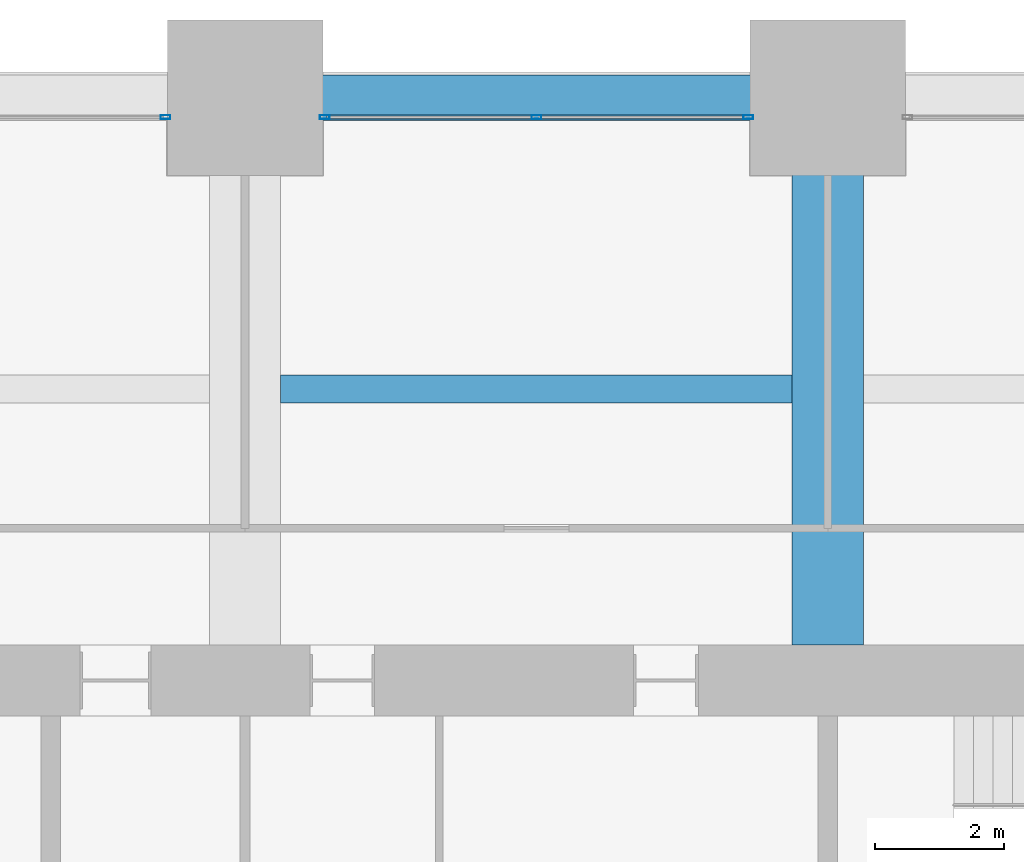
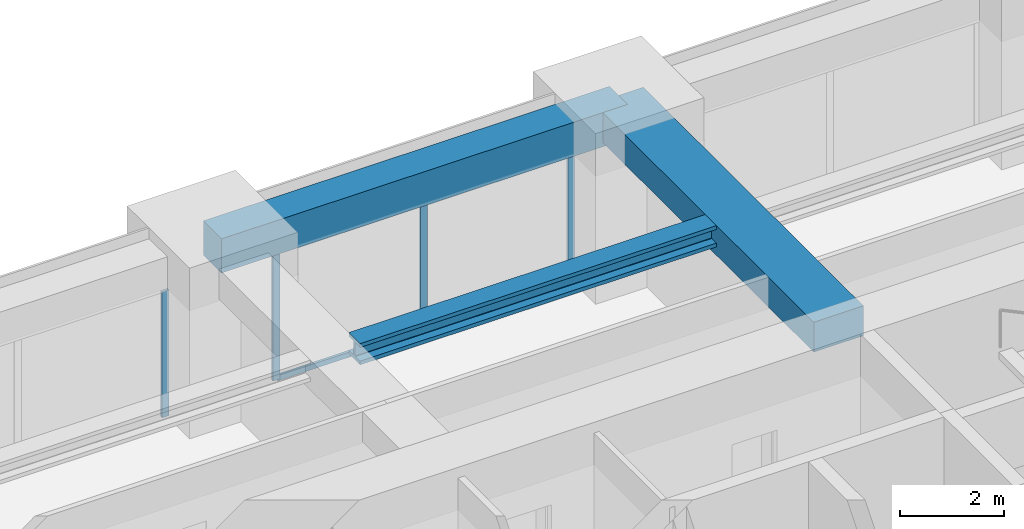
# One storey, part 29 of 39: 5 members, 3 beams, 2 elements without a shape of their own.
"""IFC4 building model written with IfcOpenShell, lengths in metres."""

from ifc_helpers import new_model, si_unit, direction, frame, origin, origin_2d, place, context, subcontext, project, spatial, rectangle, hollow_rectangle, i_section, extrude, material, material_profile, profile_set, type_object, element, aggregate, save


model = new_model("IFC4")

# Units and contexts
model_context = context("Model", 3, precision=1e-05, world=origin(), true_north=direction((0.0, 1.0)))
body_context = subcontext(model_context, "Body", "Model", "MODEL_VIEW")
ifc_project = project(units=[si_unit("LENGTHUNIT", "METRE"), si_unit("AREAUNIT", "SQUARE_METRE"), si_unit("VOLUMEUNIT", "CUBIC_METRE"), si_unit("PLANEANGLEUNIT", "RADIAN"), si_unit("MASSUNIT", "GRAM", prefix="KILO")], contexts=[model_context])

# Site, building, storey
site_placement = place(None, origin())
site = spatial("IfcSite", under=ifc_project, at=site_placement, CompositionType="ELEMENT")
building_placement = place(site_placement, origin())
building = spatial("IfcBuilding", under=site, at=building_placement, Name="Zorevar Civic Tower", CompositionType="ELEMENT")
storey_placement = place(building_placement, frame((0.0, 0.0, 121.0)))
storey = spatial("IfcBuildingStorey", under=building, at=storey_placement, Name="L29", CompositionType="ELEMENT", Elevation=121.0)

# Beam
ifc_material_1 = material(Name="Concrete C50/60", Category="concrete")
ifc_material_profile_1 = material_profile(ifc_material_1, rectangle(XDim=1.10009765625, YDim=0.699951171875, at=origin_2d()), Name="RC 1100x700")
ifc_profile_set_1 = profile_set([ifc_material_profile_1], Name="Concrete C50/60")
beam_type_1 = type_object("IfcBeamType", Name="Beam RC 1100x700", PredefinedType="BEAM", material=ifc_profile_set_1)
beam_1_placement = place(storey_placement, frame((36.0, 36.550048828125, 3.39990234375), z_axis=(0.0, 1.0, 0.0), x_axis=(-1.0, 0.0, 0.0)))
element("IfcBeam", 1, at=beam_1_placement, inside=storey, type_object=beam_type_1, Name="Girder L30", PredefinedType="BEAM", context=body_context, shape_type="SweptSolid", body=[
    extrude(rectangle(XDim=1.10009765625, YDim=0.699951171875, at=origin_2d()), origin(), (0.0, 0.0, 1.0), 8.449951171875),
])

# Curtain wall, member
ifc_material_2 = material(Name="Dark grey solar-control glass in black aluminium frame", Category="aluminium")
curtain_wall_type = type_object("IfcCurtainWallType", Name="Curtain wall CW3 mid zone", PredefinedType="NOTDEFINED", material=ifc_material_2)
curtain_wall_1_placement = place(storey_placement, origin())
curtain_wall_1 = element("IfcCurtainWall", 2, at=curtain_wall_1_placement, inside=storey, type_object=curtain_wall_type, Name="CW3 L29", PredefinedType="NOTDEFINED")
ifc_material_3 = material(Name="Aluminium, black anodised", Category="aluminium")
ifc_material_profile_2 = material_profile(ifc_material_3, hollow_rectangle(XDim=0.06005859375, YDim=0.14990234375, WallThickness=0.00390625, at=origin_2d()), Name="AL 150x60x4")
ifc_profile_set_2 = profile_set([ifc_material_profile_2], Name="Aluminium, black anodised")
member_type_1 = type_object("IfcMemberType", Name="CW3 mullion AL 150x60x4", PredefinedType="MULLION", material=ifc_profile_set_2)
member_1_placement = place(storey_placement, frame((25.77001953125, 44.699951171875, 0.0), z_axis=(0.0, 0.0, 1.0), x_axis=(0.0, 1.0, 0.0)))
member_1 = element("IfcMember", 3, at=member_1_placement, type_object=member_type_1, Name="CW3 mullion 3", PredefinedType="MULLION", context=body_context, shape_type="SweptSolid", body=[
    extrude(hollow_rectangle(XDim=0.06005859375, YDim=0.14990234375, WallThickness=0.00390625, at=origin_2d()), origin(), (0.0, 0.0, 1.0), 2.949951171875),
])
aggregate(curtain_wall_1, [member_1])

# Curtain wall, members
curtain_wall_2_placement = place(storey_placement, origin())
curtain_wall_2 = element("IfcCurtainWall", 4, at=curtain_wall_2_placement, inside=storey, type_object=curtain_wall_type, Name="CW3 L29", PredefinedType="NOTDEFINED")
member_2_placement = place(storey_placement, frame((28.22998046875, 44.699951171875, 0.0), z_axis=(0.0, 0.0, 1.0), x_axis=(0.0, 1.0, 0.0)))
member_2 = element("IfcMember", 5, at=member_2_placement, type_object=member_type_1, Name="CW3 mullion 1", PredefinedType="MULLION", context=body_context, shape_type="SweptSolid", body=[
    extrude(hollow_rectangle(XDim=0.06005859375, YDim=0.14990234375, WallThickness=0.00390625, at=origin_2d()), origin(), (0.0, 0.0, 1.0), 2.949951171875),
])
member_3_placement = place(storey_placement, frame((31.5, 44.699951171875, 0.06005859375), z_axis=(0.0, 0.0, 1.0), x_axis=(0.0, 1.0, 0.0)))
member_3 = element("IfcMember", 6, at=member_3_placement, type_object=member_type_1, Name="CW3 mullion 2", PredefinedType="MULLION", context=body_context, shape_type="SweptSolid", body=[
    extrude(hollow_rectangle(XDim=0.06005859375, YDim=0.14990234375, WallThickness=0.00390625, at=origin_2d()), origin(), (0.0, 0.0, 1.0), 2.889892578125),
])
member_4_placement = place(storey_placement, frame((34.77001953125, 44.699951171875, 0.0), z_axis=(0.0, 0.0, 1.0), x_axis=(0.0, 1.0, 0.0)))
member_4 = element("IfcMember", 7, at=member_4_placement, type_object=member_type_1, Name="CW3 mullion 3", PredefinedType="MULLION", context=body_context, shape_type="SweptSolid", body=[
    extrude(hollow_rectangle(XDim=0.06005859375, YDim=0.14990234375, WallThickness=0.00390625, at=origin_2d()), origin(), (0.0, 0.0, 1.0), 2.949951171875),
])
ifc_material_4 = material(Name="Aluminium, black anodised", Category="aluminium")
ifc_material_profile_3 = material_profile(ifc_material_4, hollow_rectangle(XDim=0.06005859375, YDim=0.1201171875, WallThickness=0.0029296875, at=origin_2d()), Name="AL 120x60x3")
ifc_profile_set_3 = profile_set([ifc_material_profile_3], Name="Aluminium, black anodised")
member_type_2 = type_object("IfcMemberType", Name="CW3 transom AL 120x60x3", PredefinedType="USERDEFINED", material=ifc_profile_set_3)
member_5_placement = place(storey_placement, frame((28.260009765625, 44.699951171875, 0.030029296875), z_axis=(1.0, 0.0, 0.0), x_axis=(0.0, 1.0, 0.0)))
member_5 = element("IfcMember", 8, at=member_5_placement, type_object=member_type_2, Name="CW3 sill transom", ObjectType="TRANSOM", PredefinedType="USERDEFINED", context=body_context, shape_type="SweptSolid", body=[
    extrude(hollow_rectangle(XDim=0.06005859375, YDim=0.1201171875, WallThickness=0.0029296875, at=origin_2d()), origin(), (0.0, 0.0, 1.0), 6.47998046875),
])
aggregate(curtain_wall_2, [member_2, member_3, member_4, member_5])

# Beams
ifc_material_5 = material(Name="Steel S460M (HISTAR 460)", Category="steel")
ifc_material_profile_4 = material_profile(ifc_material_5, i_section(OverallWidth=0.431884765625, OverallDepth=0.498046875, WebThickness=0.0556640625, FlangeThickness=0.0888671875, FilletRadius=0.014892578125, at=origin_2d()), Name="HD 400x744")
ifc_profile_set_4 = profile_set([ifc_material_profile_4], Name="Steel S460M (HISTAR 460)")
beam_type_2 = type_object("IfcBeamType", Name="Core bay beam HD 400x744", PredefinedType="BEAM", material=ifc_profile_set_4)
beam_2_placement = place(storey_placement, frame((27.550048828125, 40.5, 3.5009765625), z_axis=(1.0, 0.0, 0.0), x_axis=(0.0, 1.0, 0.0)))
element("IfcBeam", 9, at=beam_2_placement, inside=storey, type_object=beam_type_2, Name="Secondary beam L30", PredefinedType="BEAM", context=body_context, shape_type="SweptSolid", body=[
    extrude(i_section(OverallWidth=0.431884765625, OverallDepth=0.498046875, WebThickness=0.0556640625, FlangeThickness=0.0888671875, FilletRadius=0.014892578125, at=origin_2d()), origin(), (0.0, 0.0, 1.0), 7.89990234375),
])
ifc_material_6 = material(Name="Concrete C50/60", Category="concrete")
ifc_material_profile_5 = material_profile(ifc_material_6, rectangle(XDim=0.699951171875, YDim=0.800048828125, at=origin_2d()), Name="RC 700x800")
ifc_profile_set_5 = profile_set([ifc_material_profile_5], Name="Concrete C50/60")
beam_type_3 = type_object("IfcBeamType", Name="Edge beam RC 700x800", PredefinedType="SPANDREL", material=ifc_profile_set_5)
beam_3_placement = place(storey_placement, frame((27.0, 45.0, 3.35009765625), z_axis=(1.0, 0.0, 0.0), x_axis=(0.0, 1.0, 0.0)))
element("IfcBeam", 10, at=beam_3_placement, inside=storey, type_object=beam_type_3, Name="Edge beam L30", PredefinedType="SPANDREL", context=body_context, shape_type="SweptSolid", body=[
    extrude(rectangle(XDim=0.699951171875, YDim=0.800048828125, at=origin_2d()), origin(), (0.0, 0.0, 1.0), 9.0),
])

save(model, "model.ifc")
